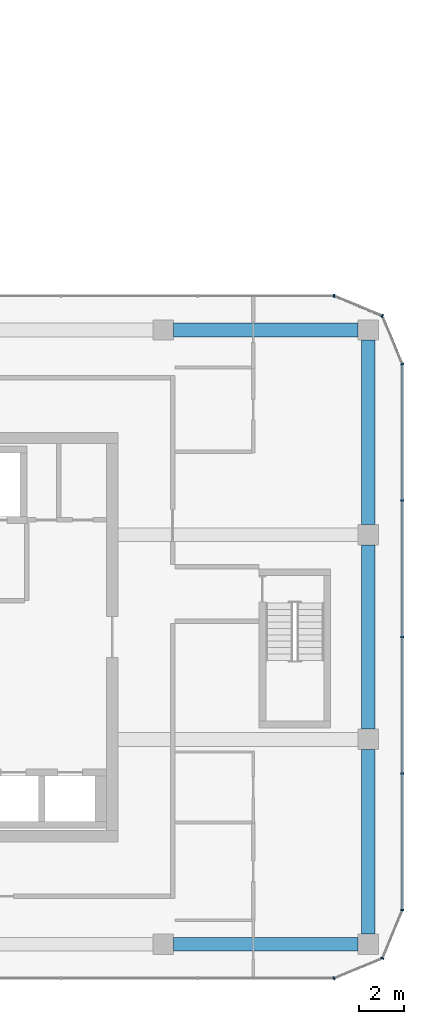
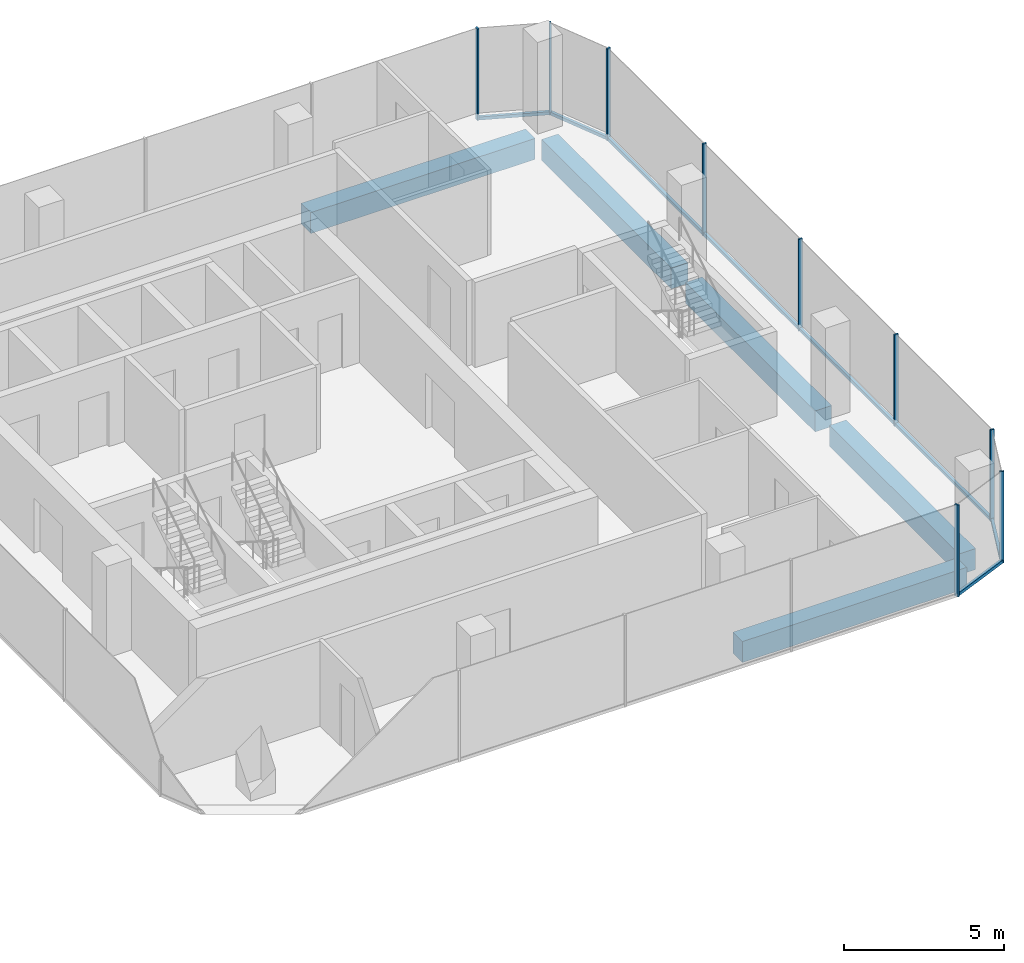
# One storey, part 10 of 23: 14 members, 5 beams, 6 elements without a shape of their own.
"""IFC4 building model written with IfcOpenShell, lengths in metres."""

from ifc_helpers import new_model, si_unit, direction, frame, origin, origin_2d, place, context, subcontext, project, spatial, rectangle, extrude, material, layer, layer_set, material_profile, profile_set, type_object, element, aggregate, save


model = new_model("IFC4")

# Units and contexts
model_context = context("Model", 3, precision=1e-05, world=origin(), true_north=direction((0.0, 1.0)))
body_context = subcontext(model_context, "Body", "Model", "MODEL_VIEW")
ifc_project = project(units=[si_unit("LENGTHUNIT", "METRE"), si_unit("AREAUNIT", "SQUARE_METRE"), si_unit("VOLUMEUNIT", "CUBIC_METRE"), si_unit("PLANEANGLEUNIT", "RADIAN"), si_unit("MASSUNIT", "GRAM", prefix="KILO")], contexts=[model_context])

# Site, building, storey
site_placement = place(None, origin())
site = spatial("IfcSite", under=ifc_project, at=site_placement, CompositionType="ELEMENT")
building_placement = place(site_placement, origin())
building = spatial("IfcBuilding", under=site, at=building_placement, Name="Plateau Cross Towers", CompositionType="ELEMENT")
storey_placement = place(building_placement, frame((0.0, 0.0, 40.800048828125)))
storey = spatial("IfcBuildingStorey", under=building, at=storey_placement, Name="L09", CompositionType="ELEMENT", Elevation=40.800048828125)

# Curtain wall, member
ifc_material_1 = material(Name="Dark low-iron glass", Category="glass")
ifc_layer = layer(ifc_material_1, 0.239990234375)
ifc_layer_set = layer_set([ifc_layer], Name="Dark low-iron glass")
curtain_wall_type = type_object("IfcCurtainWallType", Name="Curtain wall office unitised CW-F", PredefinedType="NOTDEFINED", material=ifc_layer_set)
curtain_wall_1_placement = place(storey_placement, origin())
curtain_wall_1 = element("IfcCurtainWall", 1, at=curtain_wall_1_placement, inside=storey, type_object=curtain_wall_type, Name="ENV/B/L09/B990_-60", PredefinedType="NOTDEFINED")
ifc_material_2 = material(Name="Black anodised aluminium", Category="aluminium")
ifc_material_profile_1 = material_profile(ifc_material_2, rectangle(XDim=0.06005859375, YDim=0.139892578125, at=origin_2d()), Name="MULLION 60x140")
ifc_profile_set_1 = profile_set([ifc_material_profile_1], Name="Black anodised aluminium")
member_type_1 = type_object("IfcMemberType", Name="Mullion 60x140 office unitised", PredefinedType="MULLION", material=ifc_profile_set_1)
member_1_placement = place(storey_placement, frame((99.0, -6.0, -0.25), z_axis=(0.0, 0.0, 1.0), x_axis=(0.923879457699, 0.382683612978, 0.0)))
member_1 = element("IfcMember", 2, at=member_1_placement, type_object=member_type_1, Name="CW-F mullion 1", PredefinedType="MULLION", context=body_context, shape_type="SweptSolid", body=[
    extrude(rectangle(XDim=0.06005859375, YDim=0.139892578125, at=origin_2d()), origin(), (0.0, 0.0, 1.0), 3.5),
])

curtain_wall_2_placement = place(storey_placement, origin())
curtain_wall_2 = element("IfcCurtainWall", 3, at=curtain_wall_2_placement, inside=storey, type_object=curtain_wall_type, Name="ENV/B/L09/B1011_-51", PredefinedType="NOTDEFINED")
member_2_placement = place(storey_placement, frame((101.121337890625, -5.121337890625, -0.25), z_axis=(0.0, 0.0, 1.0), x_axis=(0.382683612978, 0.923879457699, 0.0)))
member_2 = element("IfcMember", 4, at=member_2_placement, type_object=member_type_1, Name="CW-F mullion 1", PredefinedType="MULLION", context=body_context, shape_type="SweptSolid", body=[
    extrude(rectangle(XDim=0.06005859375, YDim=0.139892578125, at=origin_2d()), origin(), (0.0, 0.0, 1.0), 3.5),
])

# Curtain wall, members
curtain_wall_3_placement = place(storey_placement, origin())
curtain_wall_3 = element("IfcCurtainWall", 5, at=curtain_wall_3_placement, inside=storey, type_object=curtain_wall_type, Name="ENV/B/L09/B1020_-30", PredefinedType="NOTDEFINED")
member_3_placement = place(storey_placement, frame((102.0, -3.0, -0.25), z_axis=(0.0, 0.0, 1.0), x_axis=(0.0, 1.0, 0.0)))
member_3 = element("IfcMember", 6, at=member_3_placement, type_object=member_type_1, Name="CW-F mullion 1", PredefinedType="MULLION", context=body_context, shape_type="SweptSolid", body=[
    extrude(rectangle(XDim=0.06005859375, YDim=0.139892578125, at=origin_2d()), origin(), (0.0, 0.0, 1.0), 3.5),
])
member_4_placement = place(storey_placement, frame((102.0, 3.0, -0.25), z_axis=(0.0, 0.0, 1.0), x_axis=(0.0, 1.0, 0.0)))
member_4 = element("IfcMember", 7, at=member_4_placement, type_object=member_type_1, Name="CW-F mullion 2", PredefinedType="MULLION", context=body_context, shape_type="SweptSolid", body=[
    extrude(rectangle(XDim=0.06005859375, YDim=0.139892578125, at=origin_2d()), origin(), (0.0, 0.0, 1.0), 3.5),
])
member_5_placement = place(storey_placement, frame((102.0, 9.0, -0.25), z_axis=(0.0, 0.0, 1.0), x_axis=(0.0, 1.0, 0.0)))
member_5 = element("IfcMember", 8, at=member_5_placement, type_object=member_type_1, Name="CW-F mullion 3", PredefinedType="MULLION", context=body_context, shape_type="SweptSolid", body=[
    extrude(rectangle(XDim=0.06005859375, YDim=0.139892578125, at=origin_2d()), origin(), (0.0, 0.0, 1.0), 3.5),
])
member_6_placement = place(storey_placement, frame((102.0, 15.0, -0.25), z_axis=(0.0, 0.0, 1.0), x_axis=(0.0, 1.0, 0.0)))
member_6 = element("IfcMember", 9, at=member_6_placement, type_object=member_type_1, Name="CW-F mullion 4", PredefinedType="MULLION", context=body_context, shape_type="SweptSolid", body=[
    extrude(rectangle(XDim=0.06005859375, YDim=0.139892578125, at=origin_2d()), origin(), (0.0, 0.0, 1.0), 3.5),
])

# Curtain wall, member
curtain_wall_4_placement = place(storey_placement, origin())
curtain_wall_4 = element("IfcCurtainWall", 10, at=curtain_wall_4_placement, inside=storey, type_object=curtain_wall_type, Name="ENV/B/L09/B1020_210", PredefinedType="NOTDEFINED")
member_7_placement = place(storey_placement, frame((102.0, 21.0, -0.25), z_axis=(0.0, 0.0, 1.0), x_axis=(-0.382683612978, 0.923879457699, 0.0)))
member_7 = element("IfcMember", 11, at=member_7_placement, type_object=member_type_1, Name="CW-F mullion 1", PredefinedType="MULLION", context=body_context, shape_type="SweptSolid", body=[
    extrude(rectangle(XDim=0.06005859375, YDim=0.139892578125, at=origin_2d()), origin(), (0.0, 0.0, 1.0), 3.5),
])

curtain_wall_5_placement = place(storey_placement, origin())
curtain_wall_5 = element("IfcCurtainWall", 12, at=curtain_wall_5_placement, inside=storey, type_object=curtain_wall_type, Name="ENV/B/L09/B1011_231", PredefinedType="NOTDEFINED")
member_8_placement = place(storey_placement, frame((101.121337890625, 23.121337890625, -0.25), z_axis=(0.0, 0.0, 1.0), x_axis=(-0.923879457699, 0.382683612978, 0.0)))
member_8 = element("IfcMember", 13, at=member_8_placement, type_object=member_type_1, Name="CW-F mullion 1", PredefinedType="MULLION", context=body_context, shape_type="SweptSolid", body=[
    extrude(rectangle(XDim=0.06005859375, YDim=0.139892578125, at=origin_2d()), origin(), (0.0, 0.0, 1.0), 3.5),
])

curtain_wall_6_placement = place(storey_placement, origin())
curtain_wall_6 = element("IfcCurtainWall", 14, at=curtain_wall_6_placement, inside=storey, type_object=curtain_wall_type, Name="ENV/B/L09/B990_240", PredefinedType="NOTDEFINED")
member_9_placement = place(storey_placement, frame((99.0, 24.0, -0.25), z_axis=(0.0, 0.0, 1.0), x_axis=(-1.0, 0.0, 0.0)))
member_9 = element("IfcMember", 15, at=member_9_placement, type_object=member_type_1, Name="CW-F mullion 1", PredefinedType="MULLION", context=body_context, shape_type="SweptSolid", body=[
    extrude(rectangle(XDim=0.06005859375, YDim=0.139892578125, at=origin_2d()), origin(), (0.0, 0.0, 1.0), 3.5),
])
aggregate(curtain_wall_6, [member_9])

# Beams
ifc_material_3 = material(Name="Concrete C60/75", Category="concrete")
ifc_material_profile_2 = material_profile(ifc_material_3, rectangle(XDim=0.60009765625, YDim=0.800048828125, at=origin_2d()), Name="RC 600x800")
ifc_profile_set_2 = profile_set([ifc_material_profile_2], Name="Concrete C60/75")
beam_type = type_object("IfcBeamType", Name="Ring beam RC 600x800", PredefinedType="BEAM", material=ifc_profile_set_2)
for number, where, z_axis, x_axis, name in (
    (16, (91.949951171875, -4.5, -0.650146484375), (1.0, 0.0, 0.0), (0.0, 1.0, 0.0), "B-RB02@L09"),
    (17, (100.5, -4.050048828125, -0.650146484375), (0.0, 1.0, 0.0), (-1.0, 0.0, 0.0), "B-RB03@L09"),
    (18, (100.5, 4.949951171875, -0.650146484375), (0.0, 1.0, 0.0), (-1.0, 0.0, 0.0), "B-RB04@L09"),
    (19, (100.5, 13.949951171875, -0.650146484375), (0.0, 1.0, 0.0), (-1.0, 0.0, 0.0), "B-RB05@L09"),
    (20, (100.050048828125, 22.5, -0.650146484375), (-1.0, 0.0, 0.0), (0.0, -1.0, 0.0), "B-RB06@L09"),
):
    element("IfcBeam", number, at=place(storey_placement, frame(where, z_axis=z_axis, x_axis=x_axis)), inside=storey, type_object=beam_type, Name=name, PredefinedType="BEAM", context=body_context, shape_type="SweptSolid", body=[
        extrude(rectangle(XDim=0.60009765625, YDim=0.800048828125, at=origin_2d()), origin(), (0.0, 0.0, 1.0), 8.10009765625),
    ])

# Member
ifc_material_profile_3 = material_profile(ifc_material_2, rectangle(XDim=0.10009765625, YDim=0.1201171875, at=origin_2d()), Name="TRANSOM 100x120")
ifc_profile_set_3 = profile_set([ifc_material_profile_3], Name="Black anodised aluminium")
member_type_2 = type_object("IfcMemberType", Name="Transom 100x120 office unitised", PredefinedType="USERDEFINED", material=ifc_profile_set_3)
member_10_placement = place(storey_placement, frame((99.0, -6.0, -0.18994140625), z_axis=(0.923883353507, 0.382674207535, 0.0), x_axis=(-0.382674207535, 0.923883353507, 0.0)))
member_10 = element("IfcMember", 21, at=member_10_placement, type_object=member_type_2, Name="CW-F transom", ObjectType="TRANSOM", PredefinedType="USERDEFINED", context=body_context, shape_type="SweptSolid", body=[
    extrude(rectangle(XDim=0.10009765625, YDim=0.1201171875, at=origin_2d()), origin(), (0.0, 0.0, 1.0), 2.296142578125),
])

aggregate(curtain_wall_1, [member_1, member_10])

member_11_placement = place(storey_placement, frame((101.121337890625, -5.121337890625, -0.18994140625), z_axis=(0.382674207535, 0.923883353507, 0.0), x_axis=(-0.923883353507, 0.382674207535, 0.0)))
member_11 = element("IfcMember", 22, at=member_11_placement, type_object=member_type_2, Name="CW-F transom", ObjectType="TRANSOM", PredefinedType="USERDEFINED", context=body_context, shape_type="SweptSolid", body=[
    extrude(rectangle(XDim=0.10009765625, YDim=0.1201171875, at=origin_2d()), origin(), (0.0, 0.0, 1.0), 2.296142578125),
])

aggregate(curtain_wall_2, [member_2, member_11])

member_12_placement = place(storey_placement, frame((102.0, -3.0, -0.18994140625), z_axis=(0.0, 1.0, 0.0), x_axis=(-1.0, 0.0, 0.0)))
member_12 = element("IfcMember", 23, at=member_12_placement, type_object=member_type_2, Name="CW-F transom", ObjectType="TRANSOM", PredefinedType="USERDEFINED", context=body_context, shape_type="SweptSolid", body=[
    extrude(rectangle(XDim=0.10009765625, YDim=0.1201171875, at=origin_2d()), origin(), (0.0, 0.0, 1.0), 24.0),
])

aggregate(curtain_wall_3, [member_3, member_4, member_5, member_6, member_12])

member_13_placement = place(storey_placement, frame((102.0, 21.0, -0.18994140625), z_axis=(-0.382674207535, 0.923883353507, 0.0), x_axis=(-0.923883353507, -0.382674207535, 0.0)))
member_13 = element("IfcMember", 24, at=member_13_placement, type_object=member_type_2, Name="CW-F transom", ObjectType="TRANSOM", PredefinedType="USERDEFINED", context=body_context, shape_type="SweptSolid", body=[
    extrude(rectangle(XDim=0.10009765625, YDim=0.1201171875, at=origin_2d()), origin(), (0.0, 0.0, 1.0), 2.296142578125),
])

aggregate(curtain_wall_4, [member_7, member_13])

member_14_placement = place(storey_placement, frame((101.121337890625, 23.121337890625, -0.18994140625), z_axis=(-0.923883353507, 0.382674207535, 0.0), x_axis=(-0.382674207535, -0.923883353507, 0.0)))
member_14 = element("IfcMember", 25, at=member_14_placement, type_object=member_type_2, Name="CW-F transom", ObjectType="TRANSOM", PredefinedType="USERDEFINED", context=body_context, shape_type="SweptSolid", body=[
    extrude(rectangle(XDim=0.10009765625, YDim=0.1201171875, at=origin_2d()), origin(), (0.0, 0.0, 1.0), 2.296142578125),
])

aggregate(curtain_wall_5, [member_8, member_14])

save(model, "model.ifc")
